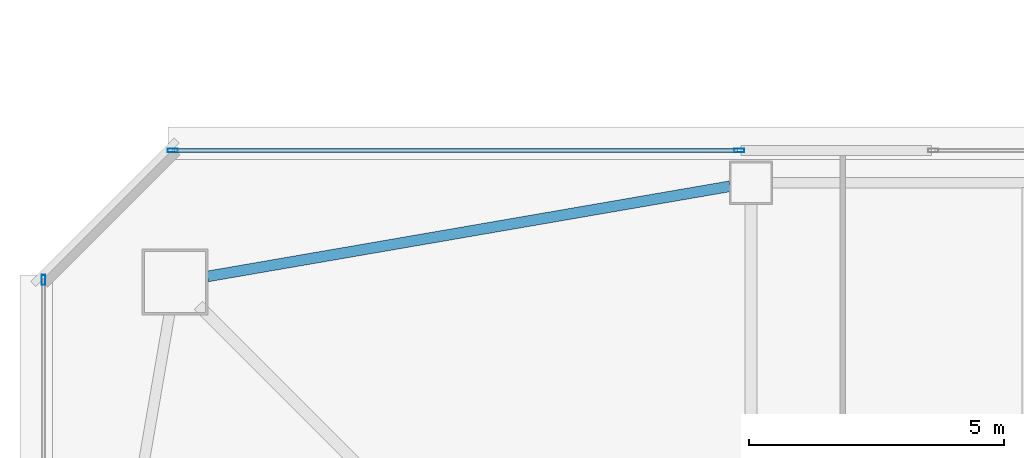
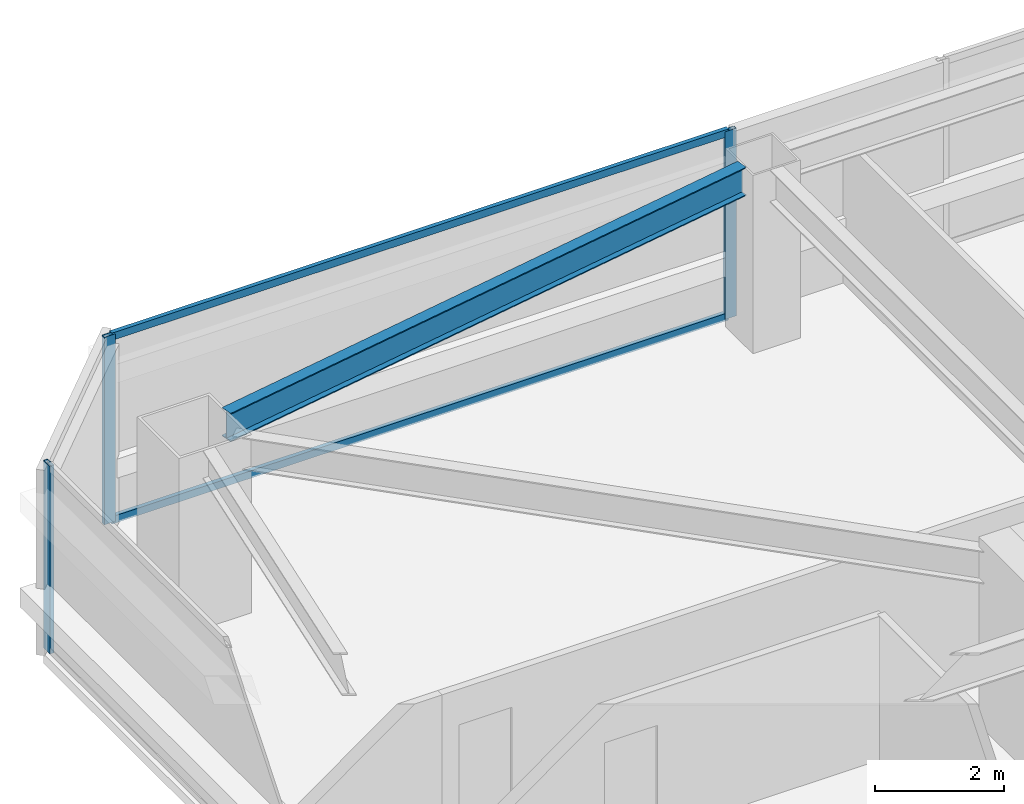
# One storey, part 12 of 42: 5 members, 1 beam, 2 elements without a shape of their own.
"""IFC4 building model written with IfcOpenShell, lengths in metres."""

from ifc_helpers import new_model, si_unit, direction, frame, origin, origin_2d, place, context, subcontext, project, spatial, hollow_rectangle, i_section, extrude, material, material_profile, profile_set, type_object, element, aggregate, save


model = new_model("IFC4")

# Units and contexts
model_context = context("Model", 3, precision=1e-05, world=origin(), true_north=direction((0.0, 1.0)))
body_context = subcontext(model_context, "Body", "Model", "MODEL_VIEW")
ifc_project = project(units=[si_unit("LENGTHUNIT", "METRE"), si_unit("AREAUNIT", "SQUARE_METRE"), si_unit("VOLUMEUNIT", "CUBIC_METRE"), si_unit("PLANEANGLEUNIT", "RADIAN"), si_unit("MASSUNIT", "GRAM", prefix="KILO")], contexts=[model_context])

# Site, building, storey
site_placement = place(None, origin())
site = spatial("IfcSite", under=ifc_project, at=site_placement, CompositionType="ELEMENT")
building_placement = place(site_placement, origin())
building = spatial("IfcBuilding", under=site, at=building_placement, Name="Tashvorn Skyway Center", CompositionType="ELEMENT")
storey_placement = place(building_placement, frame((0.0, 0.0, 121.5)))
storey = spatial("IfcBuildingStorey", under=building, at=storey_placement, Name="L32", CompositionType="ELEMENT", Elevation=121.5)

# Beam
ifc_material_1 = material(Name="Steel ASTM A992 Grade 50", Category="steel")
ifc_material_profile_1 = material_profile(ifc_material_1, i_section(OverallWidth=0.2109375, OverallDepth=0.5390625, WebThickness=0.01171875, FlangeThickness=0.018798828125, at=origin_2d()), Name="W21X73")
ifc_profile_set_1 = profile_set([ifc_material_profile_1], Name="Steel ASTM A992 Grade 50")
beam_type = type_object("IfcBeamType", Name="BM-SPANDREL-W21X73", PredefinedType="SPANDREL", material=ifc_profile_set_1)
beam_placement = place(storey_placement, frame((36.18603515625, 50.57861328125, 3.1005859375), z_axis=(-0.985432458462, -0.170067250846, 0.0), x_axis=(0.170067250846, -0.985432458462, 0.0)))
element("IfcBeam", 1, at=beam_placement, inside=storey, type_object=beam_type, Name="Tower 1 L32 Spandrel Beam 09", PredefinedType="SPANDREL", context=body_context, shape_type="SweptSolid", body=[
    extrude(i_section(OverallWidth=0.2109375, OverallDepth=0.5390625, WebThickness=0.01171875, FlangeThickness=0.018798828125, at=origin_2d()), origin(), (0.0, 0.0, 1.0), 10.402099609375),
])

# Curtain wall, member
ifc_material_2 = material(Name="Thermally broken bronze-anodized aluminium 6063-T6", Category="aluminium")
curtain_wall_type = type_object("IfcCurtainWallType", Name="CW-CW-Z3", PredefinedType="NOTDEFINED", material=ifc_material_2)
curtain_wall_1_placement = place(storey_placement, origin())
curtain_wall_1 = element("IfcCurtainWall", 2, at=curtain_wall_1_placement, inside=storey, type_object=curtain_wall_type, Name="Tower 1 L32 West Unitised Curtain Wall Glazing Group 3", PredefinedType="NOTDEFINED")
ifc_material_profile_2 = material_profile(ifc_material_2, hollow_rectangle(XDim=0.074951171875, YDim=0.199951171875, WallThickness=0.00439453125, at=origin_2d()), Name="ALU-MULL-75x200")
ifc_profile_set_2 = profile_set([ifc_material_profile_2], Name="Thermally broken bronze-anodized aluminium 6063-T6")
member_type_1 = type_object("IfcMemberType", Name="CWM-CW-Z3", PredefinedType="MULLION", material=ifc_profile_set_2)
member_1_placement = place(storey_placement, frame((22.719970703125, 48.742431640625, 0.0), z_axis=(0.0, 0.0, 1.0), x_axis=(-1.0, 0.0, 0.0)))
member_1 = element("IfcMember", 3, at=member_1_placement, type_object=member_type_1, Name="CW-Z3 mullion 2", PredefinedType="MULLION", context=body_context, shape_type="SweptSolid", body=[
    extrude(hollow_rectangle(XDim=0.074951171875, YDim=0.199951171875, WallThickness=0.00439453125, at=origin_2d()), origin(), (0.0, 0.0, 1.0), 3.550048828125),
])
aggregate(curtain_wall_1, [member_1])

# Curtain wall, members
curtain_wall_2_placement = place(storey_placement, origin())
curtain_wall_2 = element("IfcCurtainWall", 4, at=curtain_wall_2_placement, inside=storey, type_object=curtain_wall_type, Name="Tower 1 L32 North Unitised Curtain Wall Glazing Group 1", PredefinedType="NOTDEFINED")
member_2_placement = place(storey_placement, frame((25.257568359375, 51.280029296875, 0.0), z_axis=(0.0, 0.0, 1.0), x_axis=(0.0, 1.0, 0.0)))
member_2 = element("IfcMember", 5, at=member_2_placement, type_object=member_type_1, Name="CW-Z3 mullion 1", PredefinedType="MULLION", context=body_context, shape_type="SweptSolid", body=[
    extrude(hollow_rectangle(XDim=0.074951171875, YDim=0.199951171875, WallThickness=0.00439453125, at=origin_2d()), origin(), (0.0, 0.0, 1.0), 3.550048828125),
])
member_3_placement = place(storey_placement, frame((36.369140625, 51.280029296875, 0.0), z_axis=(0.0, 0.0, 1.0), x_axis=(0.0, 1.0, 0.0)))
member_3 = element("IfcMember", 6, at=member_3_placement, type_object=member_type_1, Name="CW-Z3 mullion 2", PredefinedType="MULLION", context=body_context, shape_type="SweptSolid", body=[
    extrude(hollow_rectangle(XDim=0.074951171875, YDim=0.199951171875, WallThickness=0.00439453125, at=origin_2d()), origin(), (0.0, 0.0, 1.0), 3.550048828125),
])
ifc_material_profile_3 = material_profile(ifc_material_2, hollow_rectangle(XDim=0.074951171875, YDim=0.139892578125, WallThickness=0.004150390625, at=origin_2d()), Name="ALU-TRAN-75x140")
ifc_profile_set_3 = profile_set([ifc_material_profile_3], Name="Thermally broken bronze-anodized aluminium 6063-T6")
member_type_2 = type_object("IfcMemberType", Name="CWT-CW-Z3", PredefinedType="USERDEFINED", material=ifc_profile_set_3)
member_4_placement = place(storey_placement, frame((25.294921875, 51.280029296875, 0.03759765625), z_axis=(1.0, 0.0, 0.0), x_axis=(0.0, 1.0, 0.0)))
member_4 = element("IfcMember", 7, at=member_4_placement, type_object=member_type_2, Name="CW-Z3 transom 1.1", ObjectType="TRANSOM", PredefinedType="USERDEFINED", context=body_context, shape_type="SweptSolid", body=[
    extrude(hollow_rectangle(XDim=0.074951171875, YDim=0.139892578125, WallThickness=0.004150390625, at=origin_2d()), origin(), (0.0, 0.0, 1.0), 11.036865234375),
])
member_5_placement = place(storey_placement, frame((25.294921875, 51.280029296875, 3.512451171875), z_axis=(1.0, 0.0, 0.0), x_axis=(0.0, 1.0, 0.0)))
member_5 = element("IfcMember", 8, at=member_5_placement, type_object=member_type_2, Name="CW-Z3 transom 1.2", ObjectType="TRANSOM", PredefinedType="USERDEFINED", context=body_context, shape_type="SweptSolid", body=[
    extrude(hollow_rectangle(XDim=0.074951171875, YDim=0.139892578125, WallThickness=0.004150390625, at=origin_2d()), origin(), (0.0, 0.0, 1.0), 11.036865234375),
])
aggregate(curtain_wall_2, [member_2, member_3, member_4, member_5])

save(model, "model.ifc")
